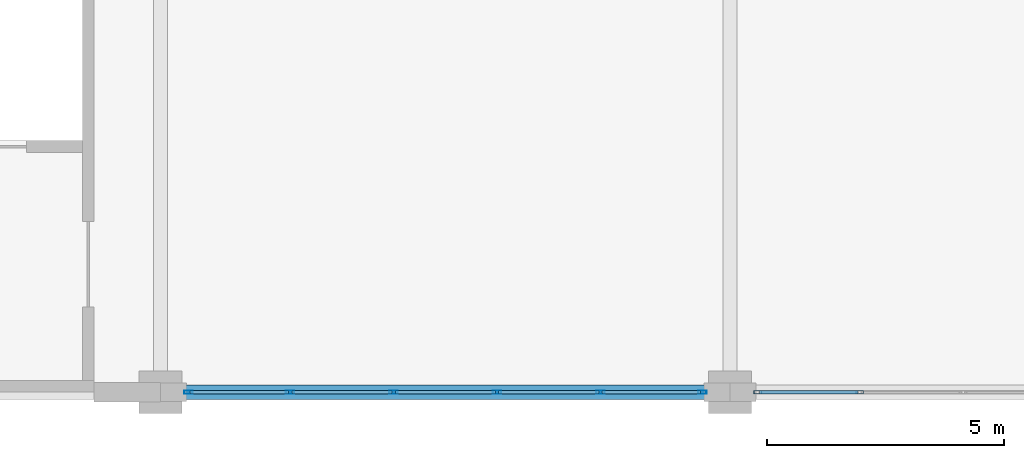
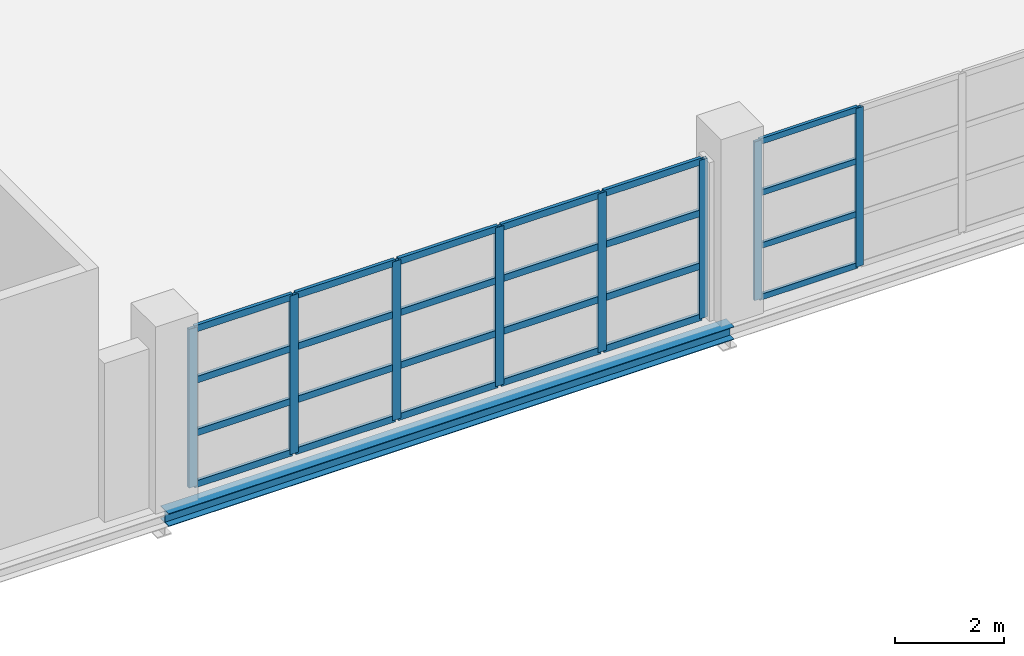
# One storey, part 44 of 158: 32 members, 1 beam, 2 elements without a shape of their own.
"""IFC4 building model written with IfcOpenShell, lengths in metres."""

from ifc_helpers import new_model, si_unit, direction, frame, origin, origin_2d, place, context, subcontext, project, spatial, hollow_rectangle, i_section, extrude, material, layer, layer_set, material_profile, profile_set, type_object, element, aggregate, save


model = new_model("IFC4")

# Units and contexts
model_context = context("Model", 3, precision=1e-05, world=origin(), true_north=direction((0.0, 1.0)))
body_context = subcontext(model_context, "Body", "Model", "MODEL_VIEW")
ifc_project = project(units=[si_unit("LENGTHUNIT", "METRE"), si_unit("AREAUNIT", "SQUARE_METRE"), si_unit("VOLUMEUNIT", "CUBIC_METRE"), si_unit("PLANEANGLEUNIT", "RADIAN"), si_unit("MASSUNIT", "GRAM", prefix="KILO")], contexts=[model_context])

# Site, building, storey
site_placement = place(None, origin())
site = spatial("IfcSite", under=ifc_project, at=site_placement, CompositionType="ELEMENT")
building_placement = place(site_placement, origin())
building = spatial("IfcBuilding", under=site, at=building_placement, Name="Zilviju Railside Exhibition Hall", CompositionType="ELEMENT")
storey_placement = place(building_placement, frame((0.0, 0.0, 4.199951171875)))
storey = spatial("IfcBuildingStorey", under=building, at=storey_placement, Name="L02", CompositionType="ELEMENT", Elevation=4.199951171875)

# Beam
ifc_material_1 = material(Name="Steel S355J2", Category="steel")
ifc_material_profile_1 = material_profile(ifc_material_1, i_section(OverallWidth=0.300048828125, OverallDepth=0.2900390625, WebThickness=0.008544921875, FlangeThickness=0.013916015625, at=origin_2d()), Name="HEA 300")
ifc_profile_set_1 = profile_set([ifc_material_profile_1], Name="Steel S355J2")
beam_type = type_object("IfcBeamType", Name="BM-HEA300", PredefinedType="SPANDREL", material=ifc_profile_set_1)
beam_placement = place(storey_placement, frame((96.0, 0.0, -0.474853515625), z_axis=(1.0, 0.0, 0.0), x_axis=(0.0, 1.0, 0.0)))
element("IfcBeam", 1, at=beam_placement, inside=storey, type_object=beam_type, Name="Primary Girder L02 Y=0.0 (96.0..108.0)", PredefinedType="SPANDREL", context=body_context, shape_type="SweptSolid", body=[
    extrude(i_section(OverallWidth=0.300048828125, OverallDepth=0.2900390625, WebThickness=0.008544921875, FlangeThickness=0.013916015625, at=origin_2d()), origin(), (0.0, 0.0, 1.0), 12.0),
])

# Curtain wall, members
ifc_material_2 = material(Name="Thermally broken aluminium-steel triple-glazed curtain wall", Category="steel")
ifc_layer_1 = layer(ifc_material_2, 0.179931640625)
ifc_layer_set_1 = layer_set([ifc_layer_1], Name="Thermally broken aluminium-steel triple-glazed curtain wall")
curtain_wall_type_1 = type_object("IfcCurtainWallType", Name="CW-BAY-08", PredefinedType="USERDEFINED", material=ifc_layer_set_1)
curtain_wall_1_placement = place(storey_placement, origin())
curtain_wall_1 = element("IfcCurtainWall", 2, at=curtain_wall_1_placement, inside=storey, type_object=curtain_wall_type_1, Name="South Hall Facade Curtain Wall L02 (108..120)", ObjectType="GLAZED CURTAIN WALL", PredefinedType="USERDEFINED")
ifc_material_3 = material(Name="Thermally broken anodized aluminium mullion", Category="aluminium")
ifc_material_profile_2 = material_profile(ifc_material_3, hollow_rectangle(XDim=0.06494140625, YDim=0.159912109375, WallThickness=0.0048828125, at=origin_2d()), Name="MULLION 160x65x5")
ifc_profile_set_2 = profile_set([ifc_material_profile_2], Name="Thermally broken anodized aluminium mullion")
member_type_1 = type_object("IfcMemberType", Name="CWM-65x160", PredefinedType="MULLION", material=ifc_profile_set_2)
member_1_placement = place(storey_placement, frame((110.72998046875, 0.0, 0.0), z_axis=(0.0, 0.0, 1.0), x_axis=(0.0, -1.0, 0.0)))
member_1 = element("IfcMember", 3, at=member_1_placement, type_object=member_type_1, Name="CW-08 mullion 5", PredefinedType="MULLION", context=body_context, shape_type="SweptSolid", body=[
    extrude(hollow_rectangle(XDim=0.06494140625, YDim=0.159912109375, WallThickness=0.0048828125, at=origin_2d()), origin(), (0.0, 0.0, 1.0), 3.56005859375),
])
member_2_placement = place(storey_placement, frame((108.58251953125, 0.0, 0.0), z_axis=(0.0, 0.0, 1.0), x_axis=(0.0, -1.0, 0.0)))
member_2 = element("IfcMember", 4, at=member_2_placement, type_object=member_type_1, Name="CW-08 mullion 6", PredefinedType="MULLION", context=body_context, shape_type="SweptSolid", body=[
    extrude(hollow_rectangle(XDim=0.06494140625, YDim=0.159912109375, WallThickness=0.0048828125, at=origin_2d()), origin(), (0.0, 0.0, 1.0), 3.56005859375),
])

ifc_layer_2 = layer(ifc_material_2, 0.179931640625)
ifc_layer_set_2 = layer_set([ifc_layer_2], Name="Thermally broken aluminium-steel triple-glazed curtain wall")
curtain_wall_type_2 = type_object("IfcCurtainWallType", Name="CW-BAY-07", PredefinedType="USERDEFINED", material=ifc_layer_set_2)
curtain_wall_2_placement = place(storey_placement, origin())
curtain_wall_2 = element("IfcCurtainWall", 5, at=curtain_wall_2_placement, inside=storey, type_object=curtain_wall_type_2, Name="South Hall Facade Curtain Wall L02 (96..108)", ObjectType="GLAZED CURTAIN WALL", PredefinedType="USERDEFINED")
ifc_material_profile_3 = material_profile(ifc_material_3, hollow_rectangle(XDim=0.070068359375, YDim=0.179931640625, WallThickness=0.0048828125, at=origin_2d()), Name="MULLION 180x70x5")
ifc_profile_set_3 = profile_set([ifc_material_profile_3], Name="Thermally broken anodized aluminium mullion")
member_type_2 = type_object("IfcMemberType", Name="CWM-70x180", PredefinedType="MULLION", material=ifc_profile_set_3)
member_3_placement = place(storey_placement, frame((107.4150390625, 0.0, 0.0), z_axis=(0.0, 0.0, 1.0), x_axis=(0.0, -1.0, 0.0)))
member_3 = element("IfcMember", 6, at=member_3_placement, type_object=member_type_2, Name="CW-07 mullion 1", PredefinedType="MULLION", context=body_context, shape_type="SweptSolid", body=[
    extrude(hollow_rectangle(XDim=0.070068359375, YDim=0.179931640625, WallThickness=0.0048828125, at=origin_2d()), origin(), (0.0, 0.0, 1.0), 3.56005859375),
])
member_4_placement = place(storey_placement, frame((105.27001953125, 0.0, 0.0), z_axis=(0.0, 0.0, 1.0), x_axis=(0.0, -1.0, 0.0)))
member_4 = element("IfcMember", 7, at=member_4_placement, type_object=member_type_2, Name="CW-07 mullion 2", PredefinedType="MULLION", context=body_context, shape_type="SweptSolid", body=[
    extrude(hollow_rectangle(XDim=0.070068359375, YDim=0.179931640625, WallThickness=0.0048828125, at=origin_2d()), origin(), (0.0, 0.0, 1.0), 3.56005859375),
])
member_5_placement = place(storey_placement, frame((103.090087890625, 0.0, 0.0), z_axis=(0.0, 0.0, 1.0), x_axis=(0.0, -1.0, 0.0)))
member_5 = element("IfcMember", 8, at=member_5_placement, type_object=member_type_2, Name="CW-07 mullion 3", PredefinedType="MULLION", context=body_context, shape_type="SweptSolid", body=[
    extrude(hollow_rectangle(XDim=0.070068359375, YDim=0.179931640625, WallThickness=0.0048828125, at=origin_2d()), origin(), (0.0, 0.0, 1.0), 3.56005859375),
])
member_6_placement = place(storey_placement, frame((100.909912109375, 0.0, 0.0), z_axis=(0.0, 0.0, 1.0), x_axis=(0.0, -1.0, 0.0)))
member_6 = element("IfcMember", 9, at=member_6_placement, type_object=member_type_2, Name="CW-07 mullion 4", PredefinedType="MULLION", context=body_context, shape_type="SweptSolid", body=[
    extrude(hollow_rectangle(XDim=0.070068359375, YDim=0.179931640625, WallThickness=0.0048828125, at=origin_2d()), origin(), (0.0, 0.0, 1.0), 3.56005859375),
])
member_7_placement = place(storey_placement, frame((98.72998046875, 0.0, 0.0), z_axis=(0.0, 0.0, 1.0), x_axis=(0.0, -1.0, 0.0)))
member_7 = element("IfcMember", 10, at=member_7_placement, type_object=member_type_2, Name="CW-07 mullion 5", PredefinedType="MULLION", context=body_context, shape_type="SweptSolid", body=[
    extrude(hollow_rectangle(XDim=0.070068359375, YDim=0.179931640625, WallThickness=0.0048828125, at=origin_2d()), origin(), (0.0, 0.0, 1.0), 3.56005859375),
])
member_8_placement = place(storey_placement, frame((96.5849609375, 0.0, 0.0), z_axis=(0.0, 0.0, 1.0), x_axis=(0.0, -1.0, 0.0)))
member_8 = element("IfcMember", 11, at=member_8_placement, type_object=member_type_2, Name="CW-07 mullion 6", PredefinedType="MULLION", context=body_context, shape_type="SweptSolid", body=[
    extrude(hollow_rectangle(XDim=0.070068359375, YDim=0.179931640625, WallThickness=0.0048828125, at=origin_2d()), origin(), (0.0, 0.0, 1.0), 3.56005859375),
])

# Member
ifc_material_4 = material(Name="Thermally broken anodized aluminium transom", Category="aluminium")
ifc_material_profile_4 = material_profile(ifc_material_4, hollow_rectangle(XDim=0.06494140625, YDim=0.1298828125, WallThickness=0.0048828125, at=origin_2d()), Name="TRANSOM 130x65x5")
ifc_profile_set_4 = profile_set([ifc_material_profile_4], Name="Thermally broken anodized aluminium transom")
member_type_3 = type_object("IfcMemberType", Name="CWT-65x130", PredefinedType="USERDEFINED", material=ifc_profile_set_4)
member_9_placement = place(storey_placement, frame((110.697509765625, 0.0, 0.032470703125), z_axis=(-1.0, 0.0, 0.0), x_axis=(0.0, -1.0, 0.0)))
member_9 = element("IfcMember", 12, at=member_9_placement, type_object=member_type_3, Name="CW-08 transom 5.1", ObjectType="TRANSOM", PredefinedType="USERDEFINED", context=body_context, shape_type="SweptSolid", body=[
    extrude(hollow_rectangle(XDim=0.06494140625, YDim=0.1298828125, WallThickness=0.0048828125, at=origin_2d()), origin(), (0.0, 0.0, 1.0), 2.08251953125),
])

member_10_placement = place(storey_placement, frame((110.697509765625, 0.0, 1.18701171875), z_axis=(-1.0, 0.0, 0.0), x_axis=(0.0, -1.0, 0.0)))
member_10 = element("IfcMember", 13, at=member_10_placement, type_object=member_type_3, Name="CW-08 transom 5.2", ObjectType="TRANSOM", PredefinedType="USERDEFINED", context=body_context, shape_type="SweptSolid", body=[
    extrude(hollow_rectangle(XDim=0.06494140625, YDim=0.1298828125, WallThickness=0.0048828125, at=origin_2d()), origin(), (0.0, 0.0, 1.0), 2.08251953125),
])

member_11_placement = place(storey_placement, frame((110.697509765625, 0.0, 2.373046875), z_axis=(-1.0, 0.0, 0.0), x_axis=(0.0, -1.0, 0.0)))
member_11 = element("IfcMember", 14, at=member_11_placement, type_object=member_type_3, Name="CW-08 transom 5.3", ObjectType="TRANSOM", PredefinedType="USERDEFINED", context=body_context, shape_type="SweptSolid", body=[
    extrude(hollow_rectangle(XDim=0.06494140625, YDim=0.1298828125, WallThickness=0.0048828125, at=origin_2d()), origin(), (0.0, 0.0, 1.0), 2.08251953125),
])

member_12_placement = place(storey_placement, frame((110.697509765625, 0.0, 3.527587890625), z_axis=(-1.0, 0.0, 0.0), x_axis=(0.0, -1.0, 0.0)))
member_12 = element("IfcMember", 15, at=member_12_placement, type_object=member_type_3, Name="CW-08 transom 5.4", ObjectType="TRANSOM", PredefinedType="USERDEFINED", context=body_context, shape_type="SweptSolid", body=[
    extrude(hollow_rectangle(XDim=0.06494140625, YDim=0.1298828125, WallThickness=0.0048828125, at=origin_2d()), origin(), (0.0, 0.0, 1.0), 2.08251953125),
])

aggregate(curtain_wall_1, [member_1, member_2, member_9, member_10, member_11, member_12])

ifc_material_profile_5 = material_profile(ifc_material_4, hollow_rectangle(XDim=0.070068359375, YDim=0.14990234375, WallThickness=0.0048828125, at=origin_2d()), Name="TRANSOM 150x70x5")
ifc_profile_set_5 = profile_set([ifc_material_profile_5], Name="Thermally broken anodized aluminium transom")
member_type_4 = type_object("IfcMemberType", Name="CWT-70x150", PredefinedType="USERDEFINED", material=ifc_profile_set_5)
member_13_placement = place(storey_placement, frame((107.3798828125, 0.0, 0.03515625), z_axis=(-1.0, 0.0, 0.0), x_axis=(0.0, -1.0, 0.0)))
member_13 = element("IfcMember", 16, at=member_13_placement, type_object=member_type_4, Name="CW-07 transom 1.1", ObjectType="TRANSOM", PredefinedType="USERDEFINED", context=body_context, shape_type="SweptSolid", body=[
    extrude(hollow_rectangle(XDim=0.070068359375, YDim=0.14990234375, WallThickness=0.0048828125, at=origin_2d()), origin(), (0.0, 0.0, 1.0), 2.074951171875),
])

member_14_placement = place(storey_placement, frame((107.3798828125, 0.0, 1.18701171875), z_axis=(-1.0, 0.0, 0.0), x_axis=(0.0, -1.0, 0.0)))
member_14 = element("IfcMember", 17, at=member_14_placement, type_object=member_type_4, Name="CW-07 transom 1.2", ObjectType="TRANSOM", PredefinedType="USERDEFINED", context=body_context, shape_type="SweptSolid", body=[
    extrude(hollow_rectangle(XDim=0.070068359375, YDim=0.14990234375, WallThickness=0.0048828125, at=origin_2d()), origin(), (0.0, 0.0, 1.0), 2.074951171875),
])

member_15_placement = place(storey_placement, frame((107.3798828125, 0.0, 2.373046875), z_axis=(-1.0, 0.0, 0.0), x_axis=(0.0, -1.0, 0.0)))
member_15 = element("IfcMember", 18, at=member_15_placement, type_object=member_type_4, Name="CW-07 transom 1.3", ObjectType="TRANSOM", PredefinedType="USERDEFINED", context=body_context, shape_type="SweptSolid", body=[
    extrude(hollow_rectangle(XDim=0.070068359375, YDim=0.14990234375, WallThickness=0.0048828125, at=origin_2d()), origin(), (0.0, 0.0, 1.0), 2.074951171875),
])

member_16_placement = place(storey_placement, frame((107.3798828125, 0.0, 3.525146484375), z_axis=(-1.0, 0.0, 0.0), x_axis=(0.0, -1.0, 0.0)))
member_16 = element("IfcMember", 19, at=member_16_placement, type_object=member_type_4, Name="CW-07 transom 1.4", ObjectType="TRANSOM", PredefinedType="USERDEFINED", context=body_context, shape_type="SweptSolid", body=[
    extrude(hollow_rectangle(XDim=0.070068359375, YDim=0.14990234375, WallThickness=0.0048828125, at=origin_2d()), origin(), (0.0, 0.0, 1.0), 2.074951171875),
])

member_17_placement = place(storey_placement, frame((105.235107421875, 0.0, 0.03515625), z_axis=(-1.0, 0.0, 0.0), x_axis=(0.0, -1.0, 0.0)))
member_17 = element("IfcMember", 20, at=member_17_placement, type_object=member_type_4, Name="CW-07 transom 2.1", ObjectType="TRANSOM", PredefinedType="USERDEFINED", context=body_context, shape_type="SweptSolid", body=[
    extrude(hollow_rectangle(XDim=0.070068359375, YDim=0.14990234375, WallThickness=0.0048828125, at=origin_2d()), origin(), (0.0, 0.0, 1.0), 2.110107421875),
])

member_18_placement = place(storey_placement, frame((105.235107421875, 0.0, 1.18701171875), z_axis=(-1.0, 0.0, 0.0), x_axis=(0.0, -1.0, 0.0)))
member_18 = element("IfcMember", 21, at=member_18_placement, type_object=member_type_4, Name="CW-07 transom 2.2", ObjectType="TRANSOM", PredefinedType="USERDEFINED", context=body_context, shape_type="SweptSolid", body=[
    extrude(hollow_rectangle(XDim=0.070068359375, YDim=0.14990234375, WallThickness=0.0048828125, at=origin_2d()), origin(), (0.0, 0.0, 1.0), 2.110107421875),
])

member_19_placement = place(storey_placement, frame((105.235107421875, 0.0, 2.373046875), z_axis=(-1.0, 0.0, 0.0), x_axis=(0.0, -1.0, 0.0)))
member_19 = element("IfcMember", 22, at=member_19_placement, type_object=member_type_4, Name="CW-07 transom 2.3", ObjectType="TRANSOM", PredefinedType="USERDEFINED", context=body_context, shape_type="SweptSolid", body=[
    extrude(hollow_rectangle(XDim=0.070068359375, YDim=0.14990234375, WallThickness=0.0048828125, at=origin_2d()), origin(), (0.0, 0.0, 1.0), 2.110107421875),
])

member_20_placement = place(storey_placement, frame((105.235107421875, 0.0, 3.525146484375), z_axis=(-1.0, 0.0, 0.0), x_axis=(0.0, -1.0, 0.0)))
member_20 = element("IfcMember", 23, at=member_20_placement, type_object=member_type_4, Name="CW-07 transom 2.4", ObjectType="TRANSOM", PredefinedType="USERDEFINED", context=body_context, shape_type="SweptSolid", body=[
    extrude(hollow_rectangle(XDim=0.070068359375, YDim=0.14990234375, WallThickness=0.0048828125, at=origin_2d()), origin(), (0.0, 0.0, 1.0), 2.110107421875),
])

member_21_placement = place(storey_placement, frame((103.054931640625, 0.0, 0.03515625), z_axis=(-1.0, 0.0, 0.0), x_axis=(0.0, -1.0, 0.0)))
member_21 = element("IfcMember", 24, at=member_21_placement, type_object=member_type_4, Name="CW-07 transom 3.1", ObjectType="TRANSOM", PredefinedType="USERDEFINED", context=body_context, shape_type="SweptSolid", body=[
    extrude(hollow_rectangle(XDim=0.070068359375, YDim=0.14990234375, WallThickness=0.0048828125, at=origin_2d()), origin(), (0.0, 0.0, 1.0), 2.10986328125),
])

member_22_placement = place(storey_placement, frame((103.054931640625, 0.0, 1.18701171875), z_axis=(-1.0, 0.0, 0.0), x_axis=(0.0, -1.0, 0.0)))
member_22 = element("IfcMember", 25, at=member_22_placement, type_object=member_type_4, Name="CW-07 transom 3.2", ObjectType="TRANSOM", PredefinedType="USERDEFINED", context=body_context, shape_type="SweptSolid", body=[
    extrude(hollow_rectangle(XDim=0.070068359375, YDim=0.14990234375, WallThickness=0.0048828125, at=origin_2d()), origin(), (0.0, 0.0, 1.0), 2.10986328125),
])

member_23_placement = place(storey_placement, frame((103.054931640625, 0.0, 2.373046875), z_axis=(-1.0, 0.0, 0.0), x_axis=(0.0, -1.0, 0.0)))
member_23 = element("IfcMember", 26, at=member_23_placement, type_object=member_type_4, Name="CW-07 transom 3.3", ObjectType="TRANSOM", PredefinedType="USERDEFINED", context=body_context, shape_type="SweptSolid", body=[
    extrude(hollow_rectangle(XDim=0.070068359375, YDim=0.14990234375, WallThickness=0.0048828125, at=origin_2d()), origin(), (0.0, 0.0, 1.0), 2.10986328125),
])

member_24_placement = place(storey_placement, frame((103.054931640625, 0.0, 3.525146484375), z_axis=(-1.0, 0.0, 0.0), x_axis=(0.0, -1.0, 0.0)))
member_24 = element("IfcMember", 27, at=member_24_placement, type_object=member_type_4, Name="CW-07 transom 3.4", ObjectType="TRANSOM", PredefinedType="USERDEFINED", context=body_context, shape_type="SweptSolid", body=[
    extrude(hollow_rectangle(XDim=0.070068359375, YDim=0.14990234375, WallThickness=0.0048828125, at=origin_2d()), origin(), (0.0, 0.0, 1.0), 2.10986328125),
])

member_25_placement = place(storey_placement, frame((100.875, 0.0, 0.03515625), z_axis=(-1.0, 0.0, 0.0), x_axis=(0.0, -1.0, 0.0)))
member_25 = element("IfcMember", 28, at=member_25_placement, type_object=member_type_4, Name="CW-07 transom 4.1", ObjectType="TRANSOM", PredefinedType="USERDEFINED", context=body_context, shape_type="SweptSolid", body=[
    extrude(hollow_rectangle(XDim=0.070068359375, YDim=0.14990234375, WallThickness=0.0048828125, at=origin_2d()), origin(), (0.0, 0.0, 1.0), 2.110107421875),
])

member_26_placement = place(storey_placement, frame((100.875, 0.0, 1.18701171875), z_axis=(-1.0, 0.0, 0.0), x_axis=(0.0, -1.0, 0.0)))
member_26 = element("IfcMember", 29, at=member_26_placement, type_object=member_type_4, Name="CW-07 transom 4.2", ObjectType="TRANSOM", PredefinedType="USERDEFINED", context=body_context, shape_type="SweptSolid", body=[
    extrude(hollow_rectangle(XDim=0.070068359375, YDim=0.14990234375, WallThickness=0.0048828125, at=origin_2d()), origin(), (0.0, 0.0, 1.0), 2.110107421875),
])

member_27_placement = place(storey_placement, frame((100.875, 0.0, 2.373046875), z_axis=(-1.0, 0.0, 0.0), x_axis=(0.0, -1.0, 0.0)))
member_27 = element("IfcMember", 30, at=member_27_placement, type_object=member_type_4, Name="CW-07 transom 4.3", ObjectType="TRANSOM", PredefinedType="USERDEFINED", context=body_context, shape_type="SweptSolid", body=[
    extrude(hollow_rectangle(XDim=0.070068359375, YDim=0.14990234375, WallThickness=0.0048828125, at=origin_2d()), origin(), (0.0, 0.0, 1.0), 2.110107421875),
])

member_28_placement = place(storey_placement, frame((100.875, 0.0, 3.525146484375), z_axis=(-1.0, 0.0, 0.0), x_axis=(0.0, -1.0, 0.0)))
member_28 = element("IfcMember", 31, at=member_28_placement, type_object=member_type_4, Name="CW-07 transom 4.4", ObjectType="TRANSOM", PredefinedType="USERDEFINED", context=body_context, shape_type="SweptSolid", body=[
    extrude(hollow_rectangle(XDim=0.070068359375, YDim=0.14990234375, WallThickness=0.0048828125, at=origin_2d()), origin(), (0.0, 0.0, 1.0), 2.110107421875),
])

member_29_placement = place(storey_placement, frame((98.695068359375, 0.0, 0.03515625), z_axis=(-1.0, 0.0, 0.0), x_axis=(0.0, -1.0, 0.0)))
member_29 = element("IfcMember", 32, at=member_29_placement, type_object=member_type_4, Name="CW-07 transom 5.1", ObjectType="TRANSOM", PredefinedType="USERDEFINED", context=body_context, shape_type="SweptSolid", body=[
    extrude(hollow_rectangle(XDim=0.070068359375, YDim=0.14990234375, WallThickness=0.0048828125, at=origin_2d()), origin(), (0.0, 0.0, 1.0), 2.074951171875),
])

member_30_placement = place(storey_placement, frame((98.695068359375, 0.0, 1.18701171875), z_axis=(-1.0, 0.0, 0.0), x_axis=(0.0, -1.0, 0.0)))
member_30 = element("IfcMember", 33, at=member_30_placement, type_object=member_type_4, Name="CW-07 transom 5.2", ObjectType="TRANSOM", PredefinedType="USERDEFINED", context=body_context, shape_type="SweptSolid", body=[
    extrude(hollow_rectangle(XDim=0.070068359375, YDim=0.14990234375, WallThickness=0.0048828125, at=origin_2d()), origin(), (0.0, 0.0, 1.0), 2.074951171875),
])

member_31_placement = place(storey_placement, frame((98.695068359375, 0.0, 2.373046875), z_axis=(-1.0, 0.0, 0.0), x_axis=(0.0, -1.0, 0.0)))
member_31 = element("IfcMember", 34, at=member_31_placement, type_object=member_type_4, Name="CW-07 transom 5.3", ObjectType="TRANSOM", PredefinedType="USERDEFINED", context=body_context, shape_type="SweptSolid", body=[
    extrude(hollow_rectangle(XDim=0.070068359375, YDim=0.14990234375, WallThickness=0.0048828125, at=origin_2d()), origin(), (0.0, 0.0, 1.0), 2.074951171875),
])

member_32_placement = place(storey_placement, frame((98.695068359375, 0.0, 3.525146484375), z_axis=(-1.0, 0.0, 0.0), x_axis=(0.0, -1.0, 0.0)))
member_32 = element("IfcMember", 35, at=member_32_placement, type_object=member_type_4, Name="CW-07 transom 5.4", ObjectType="TRANSOM", PredefinedType="USERDEFINED", context=body_context, shape_type="SweptSolid", body=[
    extrude(hollow_rectangle(XDim=0.070068359375, YDim=0.14990234375, WallThickness=0.0048828125, at=origin_2d()), origin(), (0.0, 0.0, 1.0), 2.074951171875),
])

aggregate(curtain_wall_2, [member_3, member_4, member_5, member_6, member_7, member_8, member_13, member_14, member_15, member_16, member_17, member_18, member_19, member_20, member_21, member_22, member_23, member_24, member_25, member_26, member_27, member_28, member_29, member_30, member_31, member_32])

save(model, "model.ifc")
